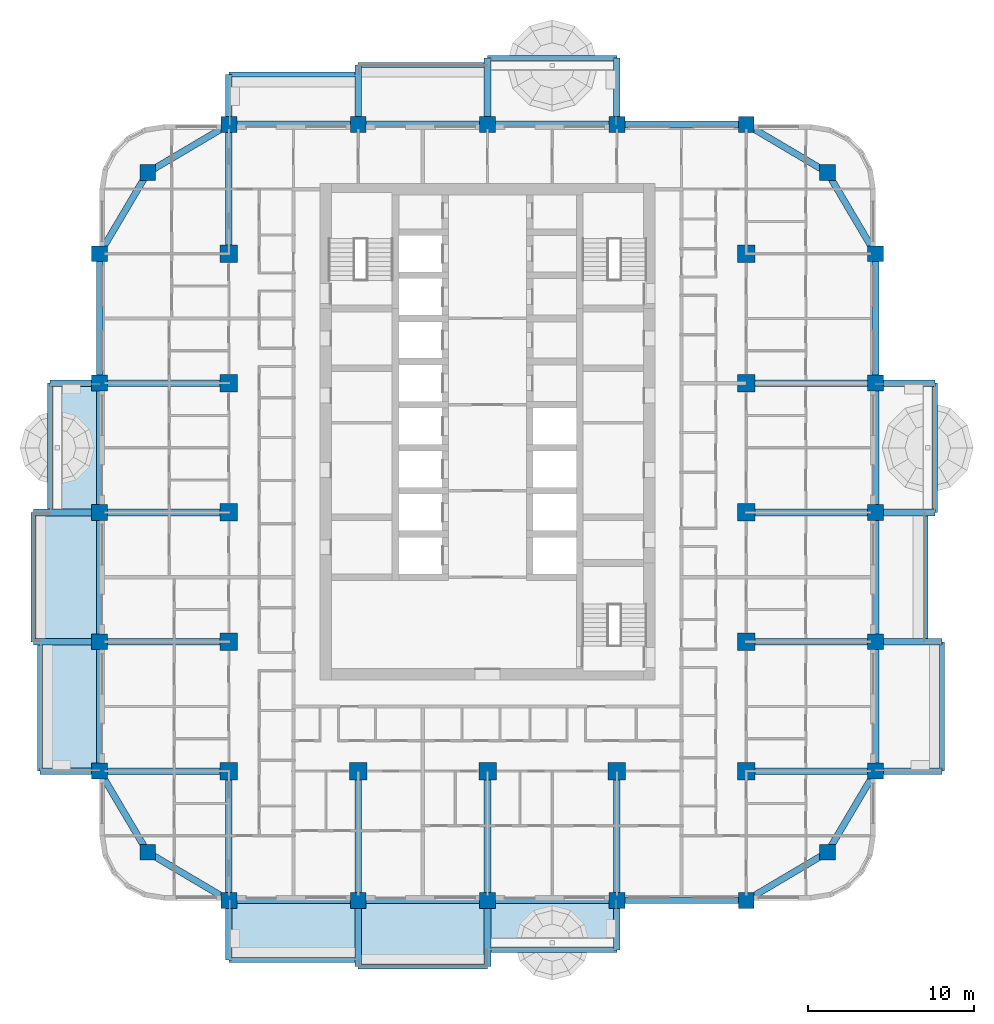
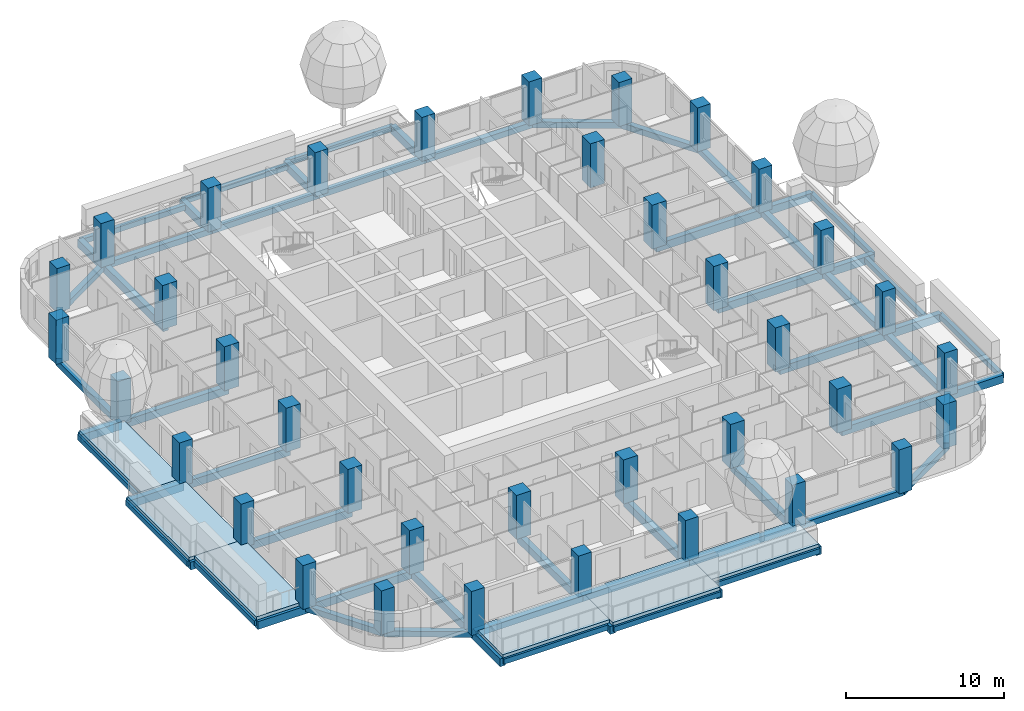
# One storey, part 1 of 18: 65 beams, 37 columns, 6 slabs.
"""IFC4 building model written with IfcOpenShell, lengths in metres."""

from ifc_helpers import new_model, si_unit, direction, frame, origin, origin_2d, place, context, subcontext, project, spatial, polyline, rectangle, outline, extrude, material, layer, layer_set, material_profile, profile_set, type_object, element, save


model = new_model("IFC4")

# Units and contexts
model_context = context("Model", 3, precision=1e-05, world=origin(), true_north=direction((0.0, 1.0)))
body_context = subcontext(model_context, "Body", "Model", "MODEL_VIEW")
ifc_project = project(units=[si_unit("LENGTHUNIT", "METRE"), si_unit("AREAUNIT", "SQUARE_METRE"), si_unit("VOLUMEUNIT", "CUBIC_METRE"), si_unit("PLANEANGLEUNIT", "RADIAN"), si_unit("MASSUNIT", "GRAM", prefix="KILO")], contexts=[model_context])

# Site, building, storey
site_placement = place(None, origin())
site = spatial("IfcSite", under=ifc_project, at=site_placement, CompositionType="ELEMENT")
building_placement = place(site_placement, origin())
building = spatial("IfcBuilding", under=site, at=building_placement, Name="Ludao Terraces", CompositionType="ELEMENT")
storey_placement = place(building_placement, frame((0.0, 0.0, 58.0)))
storey = spatial("IfcBuildingStorey", under=building, at=storey_placement, Name="L15", CompositionType="ELEMENT", Elevation=58.0)

# Columns
ifc_material_1 = material(Name="Concrete C55", Category="concrete")
ifc_material_profile_1 = material_profile(ifc_material_1, rectangle(XDim=1.050048828125, YDim=1.050048828125, at=origin_2d()), Name="1050 X 1050")
ifc_profile_set_1 = profile_set([ifc_material_profile_1], Name="Concrete C55")
column_type_1 = type_object("IfcColumnType", Name="RC column 1050x1050 C55", PredefinedType="COLUMN", material=ifc_profile_set_1)
for number, where, z_axis, x_axis, name in (
    (1, (69.39990234375, 49.39990234375, -0.25), (0.0, 0.0, 1.0), (1.0, 0.0, 0.0), "Column L15 S0078x0078"),
    (2, (69.39990234375, 57.199951171875, -0.25), (0.0, 0.0, 1.0), (1.0, 0.0, 0.0), "Column L15 S0078x0156"),
    (3, (69.39990234375, 65.0, -0.25), (0.0, 0.0, 1.0), (1.0, 0.0, 0.0), "Column L15 S0078x0234"),
    (4, (69.39990234375, 72.800048828125, -0.25), (0.0, 0.0, 1.0), (1.0, 0.0, 0.0), "Column L15 S0078x0312"),
    (5, (69.39990234375, 80.60009765625, -0.25), (0.0, 0.0, 1.0), (1.0, 0.0, 0.0), "Column L15 S0078x0390"),
    (6, (77.199951171875, 49.39990234375, -0.25), (0.0, 0.0, 1.0), (1.0, 0.0, 0.0), "Column L15 S0156x0078"),
    (7, (85.0, 49.39990234375, -0.25), (0.0, 0.0, 1.0), (1.0, 0.0, 0.0), "Column L15 S0234x0078"),
    (8, (92.800048828125, 49.39990234375, -0.25), (0.0, 0.0, 1.0), (1.0, 0.0, 0.0), "Column L15 S0312x0078"),
    (9, (100.60009765625, 49.39990234375, -0.25), (0.0, 0.0, 1.0), (1.0, 0.0, 0.0), "Column L15 S0390x0078"),
    (10, (100.60009765625, 57.199951171875, -0.25), (0.0, 0.0, 1.0), (1.0, 0.0, 0.0), "Column L15 S0390x0156"),
    (11, (100.60009765625, 65.0, -0.25), (0.0, 0.0, 1.0), (1.0, 0.0, 0.0), "Column L15 S0390x0234"),
    (12, (100.60009765625, 72.800048828125, -0.25), (0.0, 0.0, 1.0), (1.0, 0.0, 0.0), "Column L15 S0390x0312"),
    (13, (100.60009765625, 80.60009765625, -0.25), (0.0, 0.0, 1.0), (1.0, 0.0, 0.0), "Column L15 S0390x0390"),
):
    element("IfcColumn", number, at=place(storey_placement, frame(where, z_axis=z_axis, x_axis=x_axis)), inside=storey, type_object=column_type_1, Name=name, PredefinedType="COLUMN", context=body_context, shape_type="SweptSolid", body=[
        extrude(rectangle(XDim=1.050048828125, YDim=1.050048828125, at=origin_2d()), origin(), (0.0, 0.0, 1.0), 3.39990234375),
    ])
ifc_material_profile_2 = material_profile(ifc_material_1, rectangle(XDim=0.949951171875, YDim=0.949951171875, at=origin_2d()), Name="950 X 950")
ifc_profile_set_2 = profile_set([ifc_material_profile_2], Name="Concrete C55")
column_type_2 = type_object("IfcColumnType", Name="RC column 950x950 C55", PredefinedType="COLUMN", material=ifc_profile_set_2)
for number, where, z_axis, x_axis, name in (
    (14, (64.5, 44.5, -0.25), (0.0, 0.0, 1.0), (1.0, 0.0, 0.0), "Column L15 C0029x0029"),
    (15, (105.5, 44.5, -0.25), (0.0, 0.0, 1.0), (1.0, 0.0, 0.0), "Column L15 C0439x0029"),
    (16, (64.5, 85.5, -0.25), (0.0, 0.0, 1.0), (1.0, 0.0, 0.0), "Column L15 C0029x0439"),
    (17, (105.5, 85.5, -0.25), (0.0, 0.0, 1.0), (1.0, 0.0, 0.0), "Column L15 C0439x0439"),
    (18, (61.60009765625, 49.39990234375, -0.25), (0.0, 0.0, 1.0), (1.0, 0.0, 0.0), "Column L15 F0000x0078"),
    (19, (108.39990234375, 49.39990234375, -0.25), (0.0, 0.0, 1.0), (1.0, 0.0, 0.0), "Column L15 F0468x0078"),
    (20, (69.39990234375, 41.60009765625, -0.25), (0.0, 0.0, 1.0), (1.0, 0.0, 0.0), "Column L15 F0078x0000"),
    (21, (69.39990234375, 88.39990234375, -0.25), (0.0, 0.0, 1.0), (1.0, 0.0, 0.0), "Column L15 F0078x0468"),
    (22, (61.60009765625, 57.199951171875, -0.25), (0.0, 0.0, 1.0), (1.0, 0.0, 0.0), "Column L15 F0000x0156"),
    (23, (108.39990234375, 57.199951171875, -0.25), (0.0, 0.0, 1.0), (1.0, 0.0, 0.0), "Column L15 F0468x0156"),
    (24, (77.199951171875, 41.60009765625, -0.25), (0.0, 0.0, 1.0), (1.0, 0.0, 0.0), "Column L15 F0156x0000"),
    (25, (77.199951171875, 88.39990234375, -0.25), (0.0, 0.0, 1.0), (1.0, 0.0, 0.0), "Column L15 F0156x0468"),
    (26, (61.60009765625, 65.0, -0.25), (0.0, 0.0, 1.0), (1.0, 0.0, 0.0), "Column L15 F0000x0234"),
    (27, (108.39990234375, 65.0, -0.25), (0.0, 0.0, 1.0), (1.0, 0.0, 0.0), "Column L15 F0468x0234"),
    (28, (85.0, 41.60009765625, -0.25), (0.0, 0.0, 1.0), (1.0, 0.0, 0.0), "Column L15 F0234x0000"),
    (29, (85.0, 88.39990234375, -0.25), (0.0, 0.0, 1.0), (1.0, 0.0, 0.0), "Column L15 F0234x0468"),
    (30, (61.60009765625, 72.800048828125, -0.25), (0.0, 0.0, 1.0), (1.0, 0.0, 0.0), "Column L15 F0000x0312"),
    (31, (108.39990234375, 72.800048828125, -0.25), (0.0, 0.0, 1.0), (1.0, 0.0, 0.0), "Column L15 F0468x0312"),
    (32, (92.800048828125, 41.60009765625, -0.25), (0.0, 0.0, 1.0), (1.0, 0.0, 0.0), "Column L15 F0312x0000"),
    (33, (92.800048828125, 88.39990234375, -0.25), (0.0, 0.0, 1.0), (1.0, 0.0, 0.0), "Column L15 F0312x0468"),
    (34, (61.60009765625, 80.60009765625, -0.25), (0.0, 0.0, 1.0), (1.0, 0.0, 0.0), "Column L15 F0000x0390"),
    (35, (108.39990234375, 80.60009765625, -0.25), (0.0, 0.0, 1.0), (1.0, 0.0, 0.0), "Column L15 F0468x0390"),
    (36, (100.60009765625, 41.60009765625, -0.25), (0.0, 0.0, 1.0), (1.0, 0.0, 0.0), "Column L15 F0390x0000"),
    (37, (100.60009765625, 88.39990234375, -0.25), (0.0, 0.0, 1.0), (1.0, 0.0, 0.0), "Column L15 F0390x0468"),
):
    element("IfcColumn", number, at=place(storey_placement, frame(where, z_axis=z_axis, x_axis=x_axis)), inside=storey, type_object=column_type_2, Name=name, PredefinedType="COLUMN", context=body_context, shape_type="SweptSolid", body=[
        extrude(rectangle(XDim=0.949951171875, YDim=0.949951171875, at=origin_2d()), origin(), (0.0, 0.0, 1.0), 3.39990234375),
    ])

# Beams
ifc_material_2 = material(Name="Concrete C40", Category="concrete")
ifc_material_profile_3 = material_profile(ifc_material_2, rectangle(XDim=0.300048828125, YDim=0.39990234375, at=origin_2d()), Name="300 X 400")
ifc_profile_set_3 = profile_set([ifc_material_profile_3], Name="Concrete C40")
beam_type_1 = type_object("IfcBeamType", Name="RC beam 300x400 C40", PredefinedType="BEAM", material=ifc_profile_set_3)
for number, where, z_axis, x_axis, name in (
    (38, (69.39990234375, 38.0, -0.449951171875), (1.0, 0.0, 0.0), (0.0, 1.0, 0.0), "Balcony edge beam L15 S1"),
    (39, (77.199951171875, 37.60009765625, -0.449951171875), (1.0, 0.0, 0.0), (0.0, 1.0, 0.0), "Balcony edge beam L15 S2"),
    (40, (85.0, 38.60009765625, -0.449951171875), (1.0, 0.0, 0.0), (0.0, 1.0, 0.0), "Balcony edge beam L15 S3"),
    (41, (112.39990234375, 49.39990234375, -0.449951171875), (0.0, 1.0, 0.0), (-1.0, 0.0, 0.0), "Balcony edge beam L15 E1"),
    (42, (111.39990234375, 57.199951171875, -0.449951171875), (0.0, 1.0, 0.0), (-1.0, 0.0, 0.0), "Balcony edge beam L15 E2"),
    (43, (112.0, 65.0, -0.449951171875), (0.0, 1.0, 0.0), (-1.0, 0.0, 0.0), "Balcony edge beam L15 E3"),
    (44, (69.39990234375, 91.39990234375, -0.449951171875), (1.0, 0.0, 0.0), (0.0, 1.0, 0.0), "Balcony edge beam L15 N1"),
    (45, (77.199951171875, 92.0, -0.449951171875), (1.0, 0.0, 0.0), (0.0, 1.0, 0.0), "Balcony edge beam L15 N2"),
    (46, (85.0, 92.39990234375, -0.449951171875), (1.0, 0.0, 0.0), (0.0, 1.0, 0.0), "Balcony edge beam L15 N3"),
    (47, (58.0, 49.39990234375, -0.449951171875), (0.0, 1.0, 0.0), (-1.0, 0.0, 0.0), "Balcony edge beam L15 W1"),
    (48, (57.60009765625, 57.199951171875, -0.449951171875), (0.0, 1.0, 0.0), (-1.0, 0.0, 0.0), "Balcony edge beam L15 W2"),
    (49, (58.60009765625, 65.0, -0.449951171875), (0.0, 1.0, 0.0), (-1.0, 0.0, 0.0), "Balcony edge beam L15 W3"),
):
    element("IfcBeam", number, at=place(storey_placement, frame(where, z_axis=z_axis, x_axis=x_axis)), inside=storey, type_object=beam_type_1, Name=name, PredefinedType="BEAM", context=body_context, shape_type="SweptSolid", body=[
        extrude(rectangle(XDim=0.300048828125, YDim=0.39990234375, at=origin_2d()), origin(), (0.0, 0.0, 1.0), 7.800048828125),
    ])
ifc_material_profile_4 = material_profile(ifc_material_2, rectangle(XDim=0.39990234375, YDim=0.449951171875, at=origin_2d()), Name="400 X 450")
ifc_profile_set_4 = profile_set([ifc_material_profile_4], Name="Concrete C40")
beam_type_2 = type_object("IfcBeamType", Name="RC beam 400x450 C40", PredefinedType="BEAM", material=ifc_profile_set_4)
beam_1_placement = place(storey_placement, frame((64.5, 44.5, -0.47509765625), z_axis=(0.860579751256, -0.509315709288, 0.0), x_axis=(0.509315709288, 0.860579751256, 0.0)))
element("IfcBeam", 50, at=beam_1_placement, inside=storey, type_object=beam_type_2, Name="Spandrel beam L15 S1", PredefinedType="BEAM", context=body_context, shape_type="SweptSolid", body=[
    extrude(rectangle(XDim=0.39990234375, YDim=0.449951171875, at=origin_2d()), origin(), (0.0, 0.0, 1.0), 5.693603515625),
])
for number, where, z_axis, x_axis, name in (
    (51, (69.39990234375, 41.60009765625, -0.47509765625), (1.0, 0.0, 0.0), (0.0, 1.0, 0.0), "Spandrel beam L15 S2"),
    (52, (77.199951171875, 41.60009765625, -0.47509765625), (1.0, 0.0, 0.0), (0.0, 1.0, 0.0), "Spandrel beam L15 S3"),
    (53, (85.0, 41.60009765625, -0.47509765625), (1.0, 0.0, 0.0), (0.0, 1.0, 0.0), "Spandrel beam L15 S4"),
    (54, (92.800048828125, 41.60009765625, -0.47509765625), (1.0, 0.0, 0.0), (0.0, 1.0, 0.0), "Spandrel beam L15 S5"),
):
    element("IfcBeam", number, at=place(storey_placement, frame(where, z_axis=z_axis, x_axis=x_axis)), inside=storey, type_object=beam_type_2, Name=name, PredefinedType="BEAM", context=body_context, shape_type="SweptSolid", body=[
        extrude(rectangle(XDim=0.39990234375, YDim=0.449951171875, at=origin_2d()), origin(), (0.0, 0.0, 1.0), 7.800048828125),
    ])
for number, where, z_axis, x_axis, name in (
    (55, (100.60009765625, 41.60009765625, -0.47509765625), (0.860579751256, 0.509315709288, 0.0), (-0.509315709288, 0.860579751256, 0.0), "Spandrel beam L15 S6"),
    (56, (64.5, 85.5, -0.47509765625), (0.860579751256, 0.509315709288, 0.0), (-0.509315709288, 0.860579751256, 0.0), "Spandrel beam L15 N7"),
):
    element("IfcBeam", number, at=place(storey_placement, frame(where, z_axis=z_axis, x_axis=x_axis)), inside=storey, type_object=beam_type_2, Name=name, PredefinedType="BEAM", context=body_context, shape_type="SweptSolid", body=[
        extrude(rectangle(XDim=0.39990234375, YDim=0.449951171875, at=origin_2d()), origin(), (0.0, 0.0, 1.0), 5.693603515625),
    ])
for number, where, z_axis, x_axis, name in (
    (57, (69.39990234375, 88.39990234375, -0.47509765625), (1.0, 0.0, 0.0), (0.0, 1.0, 0.0), "Spandrel beam L15 N8"),
    (58, (77.199951171875, 88.39990234375, -0.47509765625), (1.0, 0.0, 0.0), (0.0, 1.0, 0.0), "Spandrel beam L15 N9"),
    (59, (85.0, 88.39990234375, -0.47509765625), (1.0, 0.0, 0.0), (0.0, 1.0, 0.0), "Spandrel beam L15 N10"),
    (60, (92.800048828125, 88.39990234375, -0.47509765625), (1.0, 0.0, 0.0), (0.0, 1.0, 0.0), "Spandrel beam L15 N11"),
):
    element("IfcBeam", number, at=place(storey_placement, frame(where, z_axis=z_axis, x_axis=x_axis)), inside=storey, type_object=beam_type_2, Name=name, PredefinedType="BEAM", context=body_context, shape_type="SweptSolid", body=[
        extrude(rectangle(XDim=0.39990234375, YDim=0.449951171875, at=origin_2d()), origin(), (0.0, 0.0, 1.0), 7.800048828125),
    ])
for number, where, z_axis, x_axis, name in (
    (61, (100.60009765625, 88.39990234375, -0.47509765625), (0.860579751256, -0.509315709288, 0.0), (0.509315709288, 0.860579751256, 0.0), "Spandrel beam L15 N12"),
    (62, (64.5, 44.5, -0.47509765625), (-0.509315709288, 0.860579751256, 0.0), (-0.860579751256, -0.509315709288, 0.0), "Spandrel beam L15 W13"),
):
    element("IfcBeam", number, at=place(storey_placement, frame(where, z_axis=z_axis, x_axis=x_axis)), inside=storey, type_object=beam_type_2, Name=name, PredefinedType="BEAM", context=body_context, shape_type="SweptSolid", body=[
        extrude(rectangle(XDim=0.39990234375, YDim=0.449951171875, at=origin_2d()), origin(), (0.0, 0.0, 1.0), 5.693603515625),
    ])
for number, where, z_axis, x_axis, name in (
    (63, (61.60009765625, 49.39990234375, -0.47509765625), (0.0, 1.0, 0.0), (-1.0, 0.0, 0.0), "Spandrel beam L15 W14"),
    (64, (61.60009765625, 57.199951171875, -0.47509765625), (0.0, 1.0, 0.0), (-1.0, 0.0, 0.0), "Spandrel beam L15 W15"),
    (65, (61.60009765625, 65.0, -0.47509765625), (0.0, 1.0, 0.0), (-1.0, 0.0, 0.0), "Spandrel beam L15 W16"),
    (66, (61.60009765625, 72.800048828125, -0.47509765625), (0.0, 1.0, 0.0), (-1.0, 0.0, 0.0), "Spandrel beam L15 W17"),
):
    element("IfcBeam", number, at=place(storey_placement, frame(where, z_axis=z_axis, x_axis=x_axis)), inside=storey, type_object=beam_type_2, Name=name, PredefinedType="BEAM", context=body_context, shape_type="SweptSolid", body=[
        extrude(rectangle(XDim=0.39990234375, YDim=0.449951171875, at=origin_2d()), origin(), (0.0, 0.0, 1.0), 7.800048828125),
    ])
for number, where, z_axis, x_axis, name in (
    (67, (61.60009765625, 80.60009765625, -0.47509765625), (0.509315709288, 0.860579751256, 0.0), (-0.860579751256, 0.509315709288, 0.0), "Spandrel beam L15 W18"),
    (68, (105.5, 44.5, -0.47509765625), (0.509315709288, 0.860579751256, 0.0), (-0.860579751256, 0.509315709288, 0.0), "Spandrel beam L15 E19"),
):
    element("IfcBeam", number, at=place(storey_placement, frame(where, z_axis=z_axis, x_axis=x_axis)), inside=storey, type_object=beam_type_2, Name=name, PredefinedType="BEAM", context=body_context, shape_type="SweptSolid", body=[
        extrude(rectangle(XDim=0.39990234375, YDim=0.449951171875, at=origin_2d()), origin(), (0.0, 0.0, 1.0), 5.693603515625),
    ])
for number, where, z_axis, x_axis, name in (
    (69, (108.39990234375, 49.39990234375, -0.47509765625), (0.0, 1.0, 0.0), (-1.0, 0.0, 0.0), "Spandrel beam L15 E20"),
    (70, (108.39990234375, 57.199951171875, -0.47509765625), (0.0, 1.0, 0.0), (-1.0, 0.0, 0.0), "Spandrel beam L15 E21"),
    (71, (108.39990234375, 65.0, -0.47509765625), (0.0, 1.0, 0.0), (-1.0, 0.0, 0.0), "Spandrel beam L15 E22"),
    (72, (108.39990234375, 72.800048828125, -0.47509765625), (0.0, 1.0, 0.0), (-1.0, 0.0, 0.0), "Spandrel beam L15 E23"),
):
    element("IfcBeam", number, at=place(storey_placement, frame(where, z_axis=z_axis, x_axis=x_axis)), inside=storey, type_object=beam_type_2, Name=name, PredefinedType="BEAM", context=body_context, shape_type="SweptSolid", body=[
        extrude(rectangle(XDim=0.39990234375, YDim=0.449951171875, at=origin_2d()), origin(), (0.0, 0.0, 1.0), 7.800048828125),
    ])
beam_2_placement = place(storey_placement, frame((108.39990234375, 80.60009765625, -0.47509765625), z_axis=(-0.509315709288, 0.860579751256, 0.0), x_axis=(-0.860579751256, -0.509315709288, 0.0)))
element("IfcBeam", 73, at=beam_2_placement, inside=storey, type_object=beam_type_2, Name="Spandrel beam L15 E24", PredefinedType="BEAM", context=body_context, shape_type="SweptSolid", body=[
    extrude(rectangle(XDim=0.39990234375, YDim=0.449951171875, at=origin_2d()), origin(), (0.0, 0.0, 1.0), 5.693603515625),
])
ifc_material_profile_5 = material_profile(ifc_material_2, rectangle(XDim=0.39990234375, YDim=0.60009765625, at=origin_2d()), Name="400 X 600")
ifc_profile_set_5 = profile_set([ifc_material_profile_5], Name="Concrete C40")
beam_type_3 = type_object("IfcBeamType", Name="RC beam 400x600 C40", PredefinedType="BEAM", material=ifc_profile_set_5)
beam_3_placement = place(storey_placement, frame((100.60009765625, 49.39990234375, -0.550048828125), z_axis=(1.0, 0.0, 0.0), x_axis=(0.0, 1.0, 0.0)))
element("IfcBeam", 74, at=beam_3_placement, inside=storey, type_object=beam_type_3, Name="Balcony beam L15 E494", PredefinedType="BEAM", context=body_context, shape_type="SweptSolid", body=[
    extrude(rectangle(XDim=0.39990234375, YDim=0.60009765625, at=origin_2d()), origin(), (0.0, 0.0, 1.0), 7.7998046875),
])
beam_4_placement = place(storey_placement, frame((108.39990234375, 49.39990234375, -0.550048828125), z_axis=(1.0, 0.0, 0.0), x_axis=(0.0, 1.0, 0.0)))
element("IfcBeam", 75, at=beam_4_placement, inside=storey, type_object=beam_type_3, Name="Balcony beam L15 E494", PredefinedType="BEAM", context=body_context, shape_type="SweptSolid", body=[
    extrude(rectangle(XDim=0.39990234375, YDim=0.60009765625, at=origin_2d()), origin(), (0.0, 0.0, 1.0), 4.0),
])
beam_5_placement = place(storey_placement, frame((100.60009765625, 57.199951171875, -0.550048828125), z_axis=(1.0, 0.0, 0.0), x_axis=(0.0, 1.0, 0.0)))
element("IfcBeam", 76, at=beam_5_placement, inside=storey, type_object=beam_type_3, Name="Balcony beam L15 E572", PredefinedType="BEAM", context=body_context, shape_type="SweptSolid", body=[
    extrude(rectangle(XDim=0.39990234375, YDim=0.60009765625, at=origin_2d()), origin(), (0.0, 0.0, 1.0), 7.7998046875),
])
beam_6_placement = place(storey_placement, frame((108.39990234375, 57.199951171875, -0.550048828125), z_axis=(1.0, 0.0, 0.0), x_axis=(0.0, 1.0, 0.0)))
element("IfcBeam", 77, at=beam_6_placement, inside=storey, type_object=beam_type_3, Name="Balcony beam L15 E572", PredefinedType="BEAM", context=body_context, shape_type="SweptSolid", body=[
    extrude(rectangle(XDim=0.39990234375, YDim=0.60009765625, at=origin_2d()), origin(), (0.0, 0.0, 1.0), 4.0),
])
beam_7_placement = place(storey_placement, frame((100.60009765625, 65.0, -0.550048828125), z_axis=(1.0, 0.0, 0.0), x_axis=(0.0, 1.0, 0.0)))
element("IfcBeam", 78, at=beam_7_placement, inside=storey, type_object=beam_type_3, Name="Balcony beam L15 E650", PredefinedType="BEAM", context=body_context, shape_type="SweptSolid", body=[
    extrude(rectangle(XDim=0.39990234375, YDim=0.60009765625, at=origin_2d()), origin(), (0.0, 0.0, 1.0), 7.7998046875),
])
beam_8_placement = place(storey_placement, frame((108.39990234375, 65.0, -0.550048828125), z_axis=(1.0, 0.0, 0.0), x_axis=(0.0, 1.0, 0.0)))
element("IfcBeam", 79, at=beam_8_placement, inside=storey, type_object=beam_type_3, Name="Balcony beam L15 E650", PredefinedType="BEAM", context=body_context, shape_type="SweptSolid", body=[
    extrude(rectangle(XDim=0.39990234375, YDim=0.60009765625, at=origin_2d()), origin(), (0.0, 0.0, 1.0), 3.60009765625),
])
beam_9_placement = place(storey_placement, frame((100.60009765625, 72.800048828125, -0.550048828125), z_axis=(1.0, 0.0, 0.0), x_axis=(0.0, 1.0, 0.0)))
element("IfcBeam", 80, at=beam_9_placement, inside=storey, type_object=beam_type_3, Name="Balcony beam L15 E728", PredefinedType="BEAM", context=body_context, shape_type="SweptSolid", body=[
    extrude(rectangle(XDim=0.39990234375, YDim=0.60009765625, at=origin_2d()), origin(), (0.0, 0.0, 1.0), 7.7998046875),
])
beam_10_placement = place(storey_placement, frame((108.39990234375, 72.800048828125, -0.550048828125), z_axis=(1.0, 0.0, 0.0), x_axis=(0.0, 1.0, 0.0)))
element("IfcBeam", 81, at=beam_10_placement, inside=storey, type_object=beam_type_3, Name="Balcony beam L15 E728", PredefinedType="BEAM", context=body_context, shape_type="SweptSolid", body=[
    extrude(rectangle(XDim=0.39990234375, YDim=0.60009765625, at=origin_2d()), origin(), (0.0, 0.0, 1.0), 3.60009765625),
])
beam_11_placement = place(storey_placement, frame((69.39990234375, 80.60009765625, -0.550048828125), z_axis=(0.0, 1.0, 0.0), x_axis=(-1.0, 0.0, 0.0)))
element("IfcBeam", 82, at=beam_11_placement, inside=storey, type_object=beam_type_3, Name="Balcony beam L15 N694", PredefinedType="BEAM", context=body_context, shape_type="SweptSolid", body=[
    extrude(rectangle(XDim=0.39990234375, YDim=0.60009765625, at=origin_2d()), origin(), (0.0, 0.0, 1.0), 7.7998046875),
])
beam_12_placement = place(storey_placement, frame((69.39990234375, 88.39990234375, -0.550048828125), z_axis=(0.0, 1.0, 0.0), x_axis=(-1.0, 0.0, 0.0)))
element("IfcBeam", 83, at=beam_12_placement, inside=storey, type_object=beam_type_3, Name="Balcony beam L15 N694", PredefinedType="BEAM", context=body_context, shape_type="SweptSolid", body=[
    extrude(rectangle(XDim=0.39990234375, YDim=0.60009765625, at=origin_2d()), origin(), (0.0, 0.0, 1.0), 3.0),
])
beam_13_placement = place(storey_placement, frame((77.199951171875, 88.39990234375, -0.550048828125), z_axis=(0.0, 1.0, 0.0), x_axis=(-1.0, 0.0, 0.0)))
element("IfcBeam", 84, at=beam_13_placement, inside=storey, type_object=beam_type_3, Name="Balcony beam L15 N772", PredefinedType="BEAM", context=body_context, shape_type="SweptSolid", body=[
    extrude(rectangle(XDim=0.39990234375, YDim=0.60009765625, at=origin_2d()), origin(), (0.0, 0.0, 1.0), 3.60009765625),
])
for number, where, z_axis, x_axis, name in (
    (85, (85.0, 88.39990234375, -0.550048828125), (0.0, 1.0, 0.0), (-1.0, 0.0, 0.0), "Balcony beam L15 N850"),
    (86, (92.800048828125, 88.39990234375, -0.550048828125), (0.0, 1.0, 0.0), (-1.0, 0.0, 0.0), "Balcony beam L15 N928"),
):
    element("IfcBeam", number, at=place(storey_placement, frame(where, z_axis=z_axis, x_axis=x_axis)), inside=storey, type_object=beam_type_3, Name=name, PredefinedType="BEAM", context=body_context, shape_type="SweptSolid", body=[
        extrude(rectangle(XDim=0.39990234375, YDim=0.60009765625, at=origin_2d()), origin(), (0.0, 0.0, 1.0), 4.0),
    ])
beam_14_placement = place(storey_placement, frame((69.39990234375, 49.39990234375, -0.550048828125), z_axis=(0.0, -1.0, 0.0), x_axis=(1.0, 0.0, 0.0)))
element("IfcBeam", 87, at=beam_14_placement, inside=storey, type_object=beam_type_3, Name="Balcony beam L15 S694", PredefinedType="BEAM", context=body_context, shape_type="SweptSolid", body=[
    extrude(rectangle(XDim=0.39990234375, YDim=0.60009765625, at=origin_2d()), origin(), (0.0, 0.0, 1.0), 7.7998046875),
])
beam_15_placement = place(storey_placement, frame((69.39990234375, 41.60009765625, -0.550048828125), z_axis=(0.0, -1.0, 0.0), x_axis=(1.0, 0.0, 0.0)))
element("IfcBeam", 88, at=beam_15_placement, inside=storey, type_object=beam_type_3, Name="Balcony beam L15 S694", PredefinedType="BEAM", context=body_context, shape_type="SweptSolid", body=[
    extrude(rectangle(XDim=0.39990234375, YDim=0.60009765625, at=origin_2d()), origin(), (0.0, 0.0, 1.0), 3.60009765625),
])
beam_16_placement = place(storey_placement, frame((77.199951171875, 49.39990234375, -0.550048828125), z_axis=(0.0, -1.0, 0.0), x_axis=(1.0, 0.0, 0.0)))
element("IfcBeam", 89, at=beam_16_placement, inside=storey, type_object=beam_type_3, Name="Balcony beam L15 S772", PredefinedType="BEAM", context=body_context, shape_type="SweptSolid", body=[
    extrude(rectangle(XDim=0.39990234375, YDim=0.60009765625, at=origin_2d()), origin(), (0.0, 0.0, 1.0), 7.7998046875),
])
beam_17_placement = place(storey_placement, frame((77.199951171875, 41.60009765625, -0.550048828125), z_axis=(0.0, -1.0, 0.0), x_axis=(1.0, 0.0, 0.0)))
element("IfcBeam", 90, at=beam_17_placement, inside=storey, type_object=beam_type_3, Name="Balcony beam L15 S772", PredefinedType="BEAM", context=body_context, shape_type="SweptSolid", body=[
    extrude(rectangle(XDim=0.39990234375, YDim=0.60009765625, at=origin_2d()), origin(), (0.0, 0.0, 1.0), 4.0),
])
beam_18_placement = place(storey_placement, frame((85.0, 49.39990234375, -0.550048828125), z_axis=(0.0, -1.0, 0.0), x_axis=(1.0, 0.0, 0.0)))
element("IfcBeam", 91, at=beam_18_placement, inside=storey, type_object=beam_type_3, Name="Balcony beam L15 S850", PredefinedType="BEAM", context=body_context, shape_type="SweptSolid", body=[
    extrude(rectangle(XDim=0.39990234375, YDim=0.60009765625, at=origin_2d()), origin(), (0.0, 0.0, 1.0), 7.7998046875),
])
beam_19_placement = place(storey_placement, frame((85.0, 41.60009765625, -0.550048828125), z_axis=(0.0, -1.0, 0.0), x_axis=(1.0, 0.0, 0.0)))
element("IfcBeam", 92, at=beam_19_placement, inside=storey, type_object=beam_type_3, Name="Balcony beam L15 S850", PredefinedType="BEAM", context=body_context, shape_type="SweptSolid", body=[
    extrude(rectangle(XDim=0.39990234375, YDim=0.60009765625, at=origin_2d()), origin(), (0.0, 0.0, 1.0), 4.0),
])
beam_20_placement = place(storey_placement, frame((92.800048828125, 49.39990234375, -0.550048828125), z_axis=(0.0, -1.0, 0.0), x_axis=(1.0, 0.0, 0.0)))
element("IfcBeam", 93, at=beam_20_placement, inside=storey, type_object=beam_type_3, Name="Balcony beam L15 S928", PredefinedType="BEAM", context=body_context, shape_type="SweptSolid", body=[
    extrude(rectangle(XDim=0.39990234375, YDim=0.60009765625, at=origin_2d()), origin(), (0.0, 0.0, 1.0), 7.7998046875),
])
beam_21_placement = place(storey_placement, frame((92.800048828125, 41.60009765625, -0.550048828125), z_axis=(0.0, -1.0, 0.0), x_axis=(1.0, 0.0, 0.0)))
element("IfcBeam", 94, at=beam_21_placement, inside=storey, type_object=beam_type_3, Name="Balcony beam L15 S928", PredefinedType="BEAM", context=body_context, shape_type="SweptSolid", body=[
    extrude(rectangle(XDim=0.39990234375, YDim=0.60009765625, at=origin_2d()), origin(), (0.0, 0.0, 1.0), 3.0),
])
beam_22_placement = place(storey_placement, frame((69.39990234375, 49.39990234375, -0.550048828125), z_axis=(-1.0, 0.0, 0.0), x_axis=(0.0, -1.0, 0.0)))
element("IfcBeam", 95, at=beam_22_placement, inside=storey, type_object=beam_type_3, Name="Balcony beam L15 W494", PredefinedType="BEAM", context=body_context, shape_type="SweptSolid", body=[
    extrude(rectangle(XDim=0.39990234375, YDim=0.60009765625, at=origin_2d()), origin(), (0.0, 0.0, 1.0), 7.7998046875),
])
beam_23_placement = place(storey_placement, frame((61.60009765625, 49.39990234375, -0.550048828125), z_axis=(-1.0, 0.0, 0.0), x_axis=(0.0, -1.0, 0.0)))
element("IfcBeam", 96, at=beam_23_placement, inside=storey, type_object=beam_type_3, Name="Balcony beam L15 W494", PredefinedType="BEAM", context=body_context, shape_type="SweptSolid", body=[
    extrude(rectangle(XDim=0.39990234375, YDim=0.60009765625, at=origin_2d()), origin(), (0.0, 0.0, 1.0), 3.60009765625),
])
beam_24_placement = place(storey_placement, frame((69.39990234375, 57.199951171875, -0.550048828125), z_axis=(-1.0, 0.0, 0.0), x_axis=(0.0, -1.0, 0.0)))
element("IfcBeam", 97, at=beam_24_placement, inside=storey, type_object=beam_type_3, Name="Balcony beam L15 W572", PredefinedType="BEAM", context=body_context, shape_type="SweptSolid", body=[
    extrude(rectangle(XDim=0.39990234375, YDim=0.60009765625, at=origin_2d()), origin(), (0.0, 0.0, 1.0), 7.7998046875),
])
beam_25_placement = place(storey_placement, frame((61.60009765625, 57.199951171875, -0.550048828125), z_axis=(-1.0, 0.0, 0.0), x_axis=(0.0, -1.0, 0.0)))
element("IfcBeam", 98, at=beam_25_placement, inside=storey, type_object=beam_type_3, Name="Balcony beam L15 W572", PredefinedType="BEAM", context=body_context, shape_type="SweptSolid", body=[
    extrude(rectangle(XDim=0.39990234375, YDim=0.60009765625, at=origin_2d()), origin(), (0.0, 0.0, 1.0), 4.0),
])
beam_26_placement = place(storey_placement, frame((69.39990234375, 65.0, -0.550048828125), z_axis=(-1.0, 0.0, 0.0), x_axis=(0.0, -1.0, 0.0)))
element("IfcBeam", 99, at=beam_26_placement, inside=storey, type_object=beam_type_3, Name="Balcony beam L15 W650", PredefinedType="BEAM", context=body_context, shape_type="SweptSolid", body=[
    extrude(rectangle(XDim=0.39990234375, YDim=0.60009765625, at=origin_2d()), origin(), (0.0, 0.0, 1.0), 7.7998046875),
])
beam_27_placement = place(storey_placement, frame((61.60009765625, 65.0, -0.550048828125), z_axis=(-1.0, 0.0, 0.0), x_axis=(0.0, -1.0, 0.0)))
element("IfcBeam", 100, at=beam_27_placement, inside=storey, type_object=beam_type_3, Name="Balcony beam L15 W650", PredefinedType="BEAM", context=body_context, shape_type="SweptSolid", body=[
    extrude(rectangle(XDim=0.39990234375, YDim=0.60009765625, at=origin_2d()), origin(), (0.0, 0.0, 1.0), 4.0),
])
beam_28_placement = place(storey_placement, frame((69.39990234375, 72.800048828125, -0.550048828125), z_axis=(-1.0, 0.0, 0.0), x_axis=(0.0, -1.0, 0.0)))
element("IfcBeam", 101, at=beam_28_placement, inside=storey, type_object=beam_type_3, Name="Balcony beam L15 W728", PredefinedType="BEAM", context=body_context, shape_type="SweptSolid", body=[
    extrude(rectangle(XDim=0.39990234375, YDim=0.60009765625, at=origin_2d()), origin(), (0.0, 0.0, 1.0), 7.7998046875),
])
beam_29_placement = place(storey_placement, frame((61.60009765625, 72.800048828125, -0.550048828125), z_axis=(-1.0, 0.0, 0.0), x_axis=(0.0, -1.0, 0.0)))
element("IfcBeam", 102, at=beam_29_placement, inside=storey, type_object=beam_type_3, Name="Balcony beam L15 W728", PredefinedType="BEAM", context=body_context, shape_type="SweptSolid", body=[
    extrude(rectangle(XDim=0.39990234375, YDim=0.60009765625, at=origin_2d()), origin(), (0.0, 0.0, 1.0), 3.0),
])

# Slabs
ifc_layer = layer(ifc_material_2, 0.25)
ifc_layer_set = layer_set([ifc_layer], Name="Balcony slab 250 C40")
slab_type = type_object("IfcSlabType", Name="Balcony slab 250 C40", PredefinedType="USERDEFINED", material=ifc_layer_set)
slab_1_placement = place(storey_placement, frame((0.0, 0.0, -0.25)))
element("IfcSlab", 103, at=slab_1_placement, inside=storey, type_object=slab_type, Name="Balcony L15 S1", ObjectType="BALCONY", PredefinedType="USERDEFINED", context=body_context, shape_type="SweptSolid", body=[
    extrude(outline(polyline([(69.39990234375, 38.0), (77.199951171875, 38.0), (77.199951171875, 41.60009765625), (69.39990234375, 41.60009765625), (69.39990234375, 38.0)])), origin(), (0.0, 0.0, 1.0), 0.25),
])
slab_2_placement = place(storey_placement, frame((0.0, 0.0, -0.25)))
element("IfcSlab", 104, at=slab_2_placement, inside=storey, type_object=slab_type, Name="Balcony L15 S2", ObjectType="BALCONY", PredefinedType="USERDEFINED", context=body_context, shape_type="SweptSolid", body=[
    extrude(outline(polyline([(77.199951171875, 37.60009765625), (85.0, 37.60009765625), (85.0, 41.60009765625), (77.199951171875, 41.60009765625), (77.199951171875, 37.60009765625)])), origin(), (0.0, 0.0, 1.0), 0.25),
])
slab_3_placement = place(storey_placement, frame((0.0, 0.0, -0.25)))
element("IfcSlab", 105, at=slab_3_placement, inside=storey, type_object=slab_type, Name="Balcony L15 S3", ObjectType="BALCONY", PredefinedType="USERDEFINED", context=body_context, shape_type="SweptSolid", body=[
    extrude(outline(polyline([(85.0, 38.60009765625), (92.800048828125, 38.60009765625), (92.800048828125, 41.60009765625), (85.0, 41.60009765625), (85.0, 38.60009765625)])), origin(), (0.0, 0.0, 1.0), 0.25),
])
slab_4_placement = place(storey_placement, frame((0.0, 0.0, -0.25)))
element("IfcSlab", 106, at=slab_4_placement, inside=storey, type_object=slab_type, Name="Balcony L15 W1", ObjectType="BALCONY", PredefinedType="USERDEFINED", context=body_context, shape_type="SweptSolid", body=[
    extrude(outline(polyline([(58.0, 49.39990234375), (61.60009765625, 49.39990234375), (61.60009765625, 57.199951171875), (58.0, 57.199951171875), (58.0, 49.39990234375)])), origin(), (0.0, 0.0, 1.0), 0.25),
])
slab_5_placement = place(storey_placement, frame((0.0, 0.0, -0.25)))
element("IfcSlab", 107, at=slab_5_placement, inside=storey, type_object=slab_type, Name="Balcony L15 W2", ObjectType="BALCONY", PredefinedType="USERDEFINED", context=body_context, shape_type="SweptSolid", body=[
    extrude(outline(polyline([(57.60009765625, 57.199951171875), (61.60009765625, 57.199951171875), (61.60009765625, 65.0), (57.60009765625, 65.0), (57.60009765625, 57.199951171875)])), origin(), (0.0, 0.0, 1.0), 0.25),
])
slab_6_placement = place(storey_placement, frame((0.0, 0.0, -0.25)))
element("IfcSlab", 108, at=slab_6_placement, inside=storey, type_object=slab_type, Name="Balcony L15 W3", ObjectType="BALCONY", PredefinedType="USERDEFINED", context=body_context, shape_type="SweptSolid", body=[
    extrude(outline(polyline([(58.60009765625, 65.0), (61.60009765625, 65.0), (61.60009765625, 72.800048828125), (58.60009765625, 72.800048828125), (58.60009765625, 65.0)])), origin(), (0.0, 0.0, 1.0), 0.25),
])

save(model, "model.ifc")
